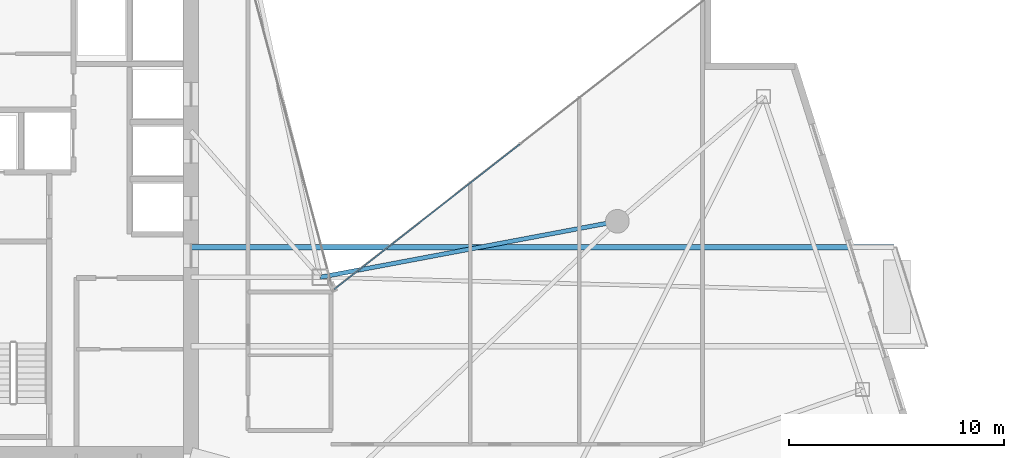
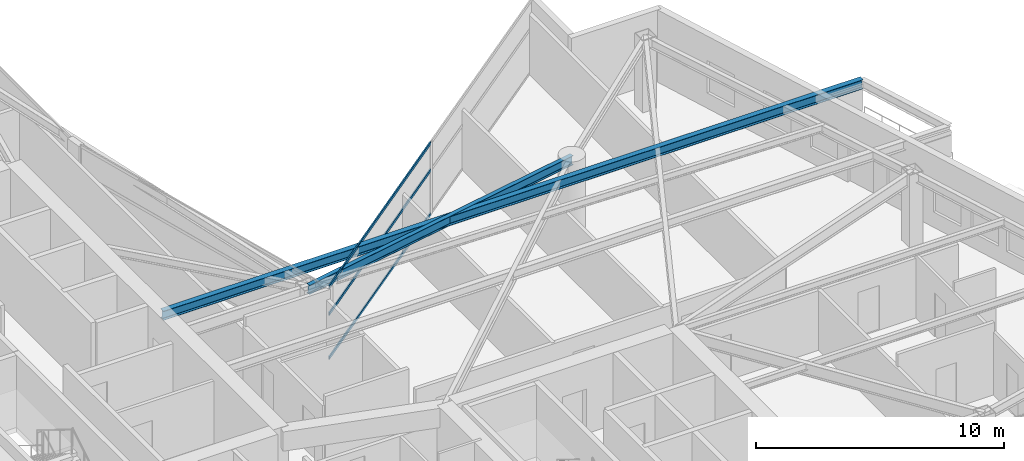
# One storey, part 11 of 30: 3 members, 2 beams, 1 element without a shape of its own.
"""IFC4 building model written with IfcOpenShell, lengths in metres."""

from ifc_helpers import new_model, si_unit, direction, frame, origin, origin_2d, place, context, subcontext, project, spatial, hollow_rectangle, i_section, extrude, material, layer, layer_set, material_profile, profile_set, type_object, element, aggregate, save


model = new_model("IFC4")

# Units and contexts
model_context = context("Model", 3, precision=1e-05, world=origin(), true_north=direction((0.0, 1.0)))
body_context = subcontext(model_context, "Body", "Model", "MODEL_VIEW")
ifc_project = project(units=[si_unit("LENGTHUNIT", "METRE"), si_unit("AREAUNIT", "SQUARE_METRE"), si_unit("VOLUMEUNIT", "CUBIC_METRE"), si_unit("PLANEANGLEUNIT", "RADIAN"), si_unit("MASSUNIT", "GRAM", prefix="KILO")], contexts=[model_context])

# Site, building, storey
site_placement = place(None, origin())
site = spatial("IfcSite", under=ifc_project, at=site_placement, CompositionType="ELEMENT")
building_placement = place(site_placement, origin())
building = spatial("IfcBuilding", under=site, at=building_placement, Name="Calvorn Quay Hotel", CompositionType="ELEMENT")
storey_placement = place(building_placement, frame((0.0, 0.0, 207.199951171875)))
storey = spatial("IfcBuildingStorey", under=building, at=storey_placement, Name="L51", CompositionType="ELEMENT", Elevation=207.199951171875)

# Beams
ifc_material_1 = material(Name="Steel Q355B", Category="steel")
ifc_material_profile_1 = material_profile(ifc_material_1, i_section(OverallWidth=0.25, OverallDepth=0.449951171875, WebThickness=0.011962890625, FlangeThickness=0.01611328125, FilletRadius=0.01611328125, at=origin_2d()), Name="HN450x250x12x16")
ifc_profile_set_1 = profile_set([ifc_material_profile_1], Name="Steel Q355B")
beam_type_1 = type_object("IfcBeamType", Name="BM-CANT-BALC", PredefinedType="BEAM", material=ifc_profile_set_1)
beam_1_placement = place(storey_placement, frame((15.0, 26.39990234375, 3.31494140625), z_axis=(1.0, 0.0, 0.0), x_axis=(0.0, 1.0, 0.0)))
element("IfcBeam", 1, at=beam_1_placement, inside=storey, type_object=beam_type_1, Name="Cantilever Balcony Beam BCB-L52-1B", PredefinedType="BEAM", context=body_context, shape_type="SweptSolid", body=[
    extrude(i_section(OverallWidth=0.25, OverallDepth=0.449951171875, WebThickness=0.011962890625, FlangeThickness=0.01611328125, FilletRadius=0.01611328125, at=origin_2d()), origin(), (0.0, 0.0, 1.0), 32.636962890625),
])
ifc_material_2 = material(Name="Steel Q355B", Category="steel")
ifc_material_profile_2 = material_profile(ifc_material_2, i_section(OverallWidth=0.199951171875, OverallDepth=0.449951171875, WebThickness=0.009033203125, FlangeThickness=0.013916015625, FilletRadius=0.01611328125, at=origin_2d()), Name="HN450x200x9x14")
ifc_profile_set_2 = profile_set([ifc_material_profile_2], Name="Steel Q355B")
beam_type_2 = type_object("IfcBeamType", Name="BM-SPANDREL-Z3", PredefinedType="SPANDREL", material=ifc_profile_set_2)
beam_2_placement = place(storey_placement, frame((34.800048828125, 27.60009765625, 3.31494140625), z_axis=(-0.982709432406, -0.185154452988, 0.0), x_axis=(0.185154452988, -0.982709432406, 0.0)))
element("IfcBeam", 2, at=beam_2_placement, inside=storey, type_object=beam_type_2, Name="Beam BSP-L51-E4", PredefinedType="SPANDREL", context=body_context, shape_type="SweptSolid", body=[
    extrude(i_section(OverallWidth=0.199951171875, OverallDepth=0.449951171875, WebThickness=0.009033203125, FlangeThickness=0.013916015625, FilletRadius=0.01611328125, at=origin_2d()), origin(), (0.0, 0.0, 1.0), 14.04296875),
])

# Curtain wall, members
ifc_material_3 = material(Name="Champagne Bronze Anodised Aluminium and Low-E Glass", Category="aluminium")
ifc_layer = layer(ifc_material_3, 0.219970703125)
ifc_layer_set = layer_set([ifc_layer], Name="CW-SYS-Z3")
curtain_wall_type = type_object("IfcCurtainWallType", Name="CW-SYS-Z3", PredefinedType="NOTDEFINED", material=ifc_layer_set)
curtain_wall_placement = place(storey_placement, origin())
curtain_wall = element("IfcCurtainWall", 3, at=curtain_wall_placement, inside=storey, type_object=curtain_wall_type, Name="Inner Court Curtain Wall L51-NE1", PredefinedType="NOTDEFINED")
ifc_material_4 = material(Name="Champagne Bronze Anodised Aluminium 6063-T6", Category="aluminium")
ifc_material_profile_3 = material_profile(ifc_material_4, hollow_rectangle(XDim=0.05810546875, YDim=0.139892578125, WallThickness=0.003173828125, at=origin_2d()), Name="ALU-T140x58x3.2")
ifc_profile_set_3 = profile_set([ifc_material_profile_3], Name="Champagne Bronze Anodised Aluminium 6063-T6")
member_type = type_object("IfcMemberType", Name="CW-SYS-Z3-TRN", PredefinedType="USERDEFINED", material=ifc_profile_set_3)
member_1_placement = place(storey_placement, frame((30.2763671875, 31.181640625, 0.030029296875), z_axis=(-0.787886807538, -0.615820086152, 0.0), x_axis=(0.615820086152, -0.787886807538, 0.0)))
member_1 = element("IfcMember", 4, at=member_1_placement, type_object=member_type, Name="CW-L51-NE1 transom 2.1", ObjectType="TRANSOM", PredefinedType="USERDEFINED", context=body_context, shape_type="SweptSolid", body=[
    extrude(hollow_rectangle(XDim=0.05810546875, YDim=0.139892578125, WallThickness=0.003173828125, at=origin_2d()), origin(), (0.0, 0.0, 1.0), 10.952392578125),
])
member_2_placement = place(storey_placement, frame((30.2763671875, 31.181640625, 2.199951171875), z_axis=(-0.787886807538, -0.615820086152, 0.0), x_axis=(0.615820086152, -0.787886807538, 0.0)))
member_2 = element("IfcMember", 5, at=member_2_placement, type_object=member_type, Name="CW-L51-NE1 transom 2.2", ObjectType="TRANSOM", PredefinedType="USERDEFINED", context=body_context, shape_type="SweptSolid", body=[
    extrude(hollow_rectangle(XDim=0.05810546875, YDim=0.139892578125, WallThickness=0.003173828125, at=origin_2d()), origin(), (0.0, 0.0, 1.0), 10.952392578125),
])
member_3_placement = place(storey_placement, frame((30.2763671875, 31.181640625, 3.530029296875), z_axis=(-0.787886807538, -0.615820086152, 0.0), x_axis=(0.615820086152, -0.787886807538, 0.0)))
member_3 = element("IfcMember", 6, at=member_3_placement, type_object=member_type, Name="CW-L51-NE1 transom 2.3", ObjectType="TRANSOM", PredefinedType="USERDEFINED", context=body_context, shape_type="SweptSolid", body=[
    extrude(hollow_rectangle(XDim=0.05810546875, YDim=0.139892578125, WallThickness=0.003173828125, at=origin_2d()), origin(), (0.0, 0.0, 1.0), 10.952392578125),
])
aggregate(curtain_wall, [member_1, member_2, member_3])

save(model, "model.ifc")
